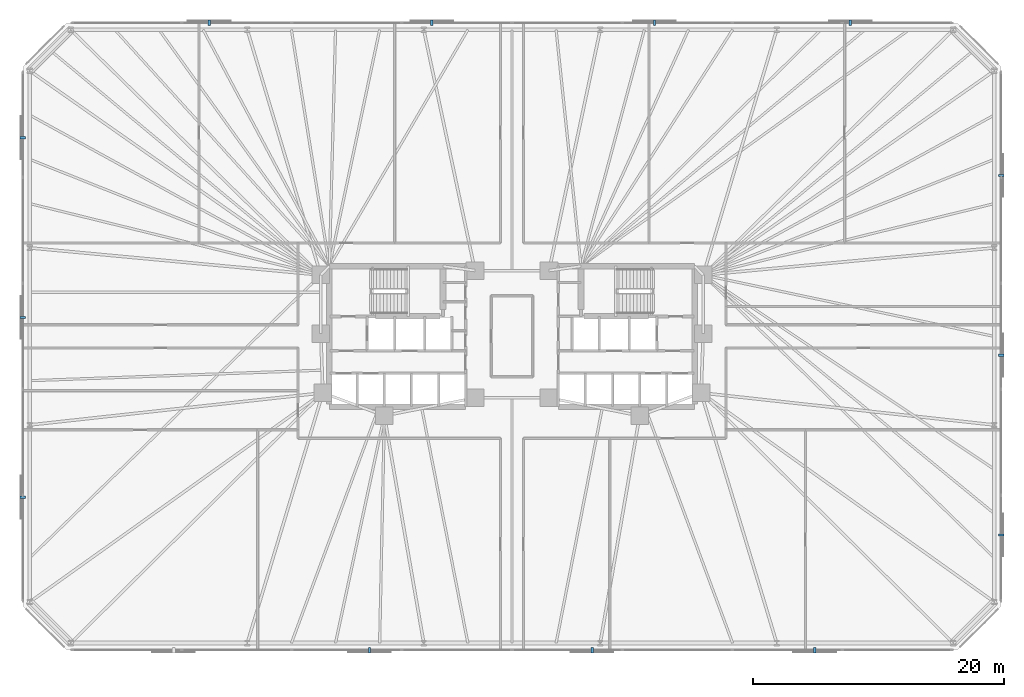
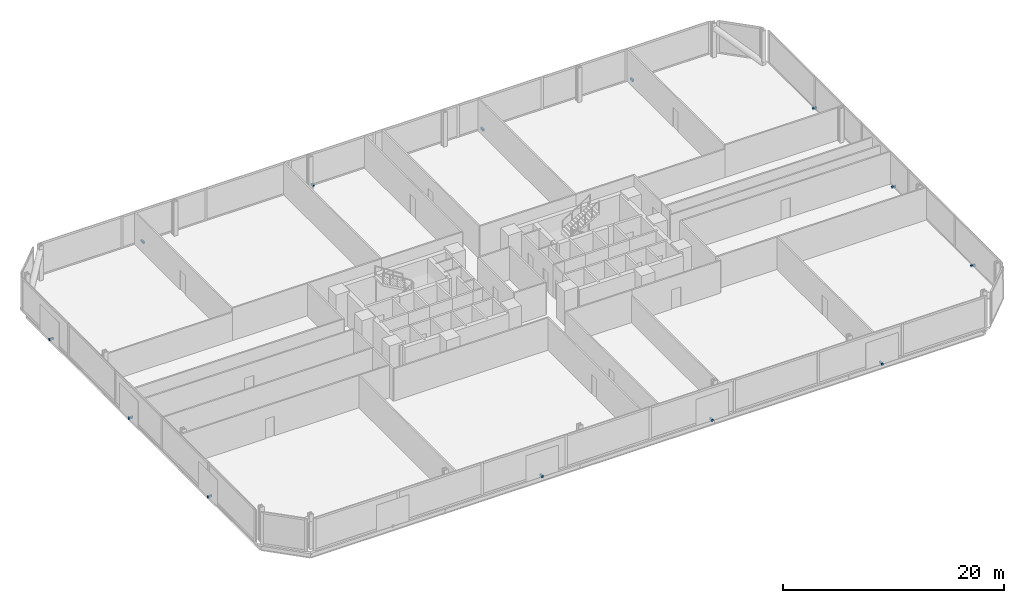
# One storey, part 16 of 17: 13 discrete accessories.
"""IFC4 building model written with IfcOpenShell, lengths in metres."""

from ifc_helpers import new_model, si_unit, direction, frame, origin, origin_2d, place, context, subcontext, project, spatial, rectangle, extrude, material, type_object, element, save


model = new_model("IFC4")

# Units and contexts
model_context = context("Model", 3, precision=1e-05, world=origin(), true_north=direction((0.0, 1.0)))
body_context = subcontext(model_context, "Body", "Model", "MODEL_VIEW")
ifc_project = project(units=[si_unit("LENGTHUNIT", "METRE"), si_unit("AREAUNIT", "SQUARE_METRE"), si_unit("VOLUMEUNIT", "CUBIC_METRE"), si_unit("PLANEANGLEUNIT", "RADIAN"), si_unit("MASSUNIT", "GRAM", prefix="KILO")], contexts=[model_context])

# Site, building, storey
site_placement = place(None, origin())
site = spatial("IfcSite", under=ifc_project, at=site_placement, CompositionType="ELEMENT")
building_placement = place(site_placement, origin())
building = spatial("IfcBuilding", under=site, at=building_placement, Name="Menara Jurai Vektor", CompositionType="ELEMENT")
storey_placement = place(building_placement, frame((0.0, 0.0, 21.800048828125)))
storey = spatial("IfcBuildingStorey", under=building, at=storey_placement, Name="L04", CompositionType="ELEMENT", Elevation=21.800048828125)

# Discrete accessories
ifc_material = material(Name="Steel S355", Category="steel")
discrete_accessory_type = type_object("IfcDiscreteAccessoryType", Name="ENV-ACC-BRACKET", PredefinedType="BRACKET", material=ifc_material)
for number, where, z_axis, x_axis, name in (
    (1, (-11.360107421875, -25.010009765625, -0.1298828125), (0.0, 0.0, 1.0), (1.0, 0.0, 0.0), "Solar Screen Stand-Off Bracket L04-S02"),
    (2, (6.389892578125, -25.010009765625, -0.1298828125), (0.0, 0.0, 1.0), (1.0, 0.0, 0.0), "Solar Screen Stand-Off Bracket L04-S03"),
    (3, (24.139892578125, -25.010009765625, -0.1298828125), (0.0, 0.0, 1.0), (1.0, 0.0, 0.0), "Solar Screen Stand-Off Bracket L04-S04"),
    (4, (39.010009765625, -15.83837890625, -0.1298828125), (0.0, 0.0, 1.0), (0.0, 1.0, 0.0), "Solar Screen Stand-Off Bracket L04-S05"),
    (5, (39.010009765625, -1.5048828125, -0.1298828125), (0.0, 0.0, 1.0), (0.0, 1.0, 0.0), "Solar Screen Stand-Off Bracket L04-S06"),
    (6, (39.010009765625, 12.828369140625, -0.1298828125), (0.0, 0.0, 1.0), (0.0, 1.0, 0.0), "Solar Screen Stand-Off Bracket L04-S07"),
    (7, (26.97998046875, 25.010009765625, -0.1298828125), (0.0, 0.0, 1.0), (-1.0, 0.0, 0.0), "Solar Screen Stand-Off Bracket L04-S08"),
    (8, (11.360107421875, 25.010009765625, -0.1298828125), (0.0, 0.0, 1.0), (-1.0, 0.0, 0.0), "Solar Screen Stand-Off Bracket L04-S09"),
    (9, (-6.389892578125, 25.010009765625, -0.1298828125), (0.0, 0.0, 1.0), (-1.0, 0.0, 0.0), "Solar Screen Stand-Off Bracket L04-S10"),
    (10, (-24.139892578125, 25.010009765625, -0.1298828125), (0.0, 0.0, 1.0), (-1.0, 0.0, 0.0), "Solar Screen Stand-Off Bracket L04-S11"),
    (11, (-39.010009765625, 15.83837890625, -0.1298828125), (0.0, 0.0, 1.0), (0.0, -1.0, 0.0), "Solar Screen Stand-Off Bracket L04-S12"),
    (12, (-39.010009765625, 1.5048828125, -0.1298828125), (0.0, 0.0, 1.0), (0.0, -1.0, 0.0), "Solar Screen Stand-Off Bracket L04-S13"),
    (13, (-39.010009765625, -12.828369140625, -0.1298828125), (0.0, 0.0, 1.0), (0.0, -1.0, 0.0), "Solar Screen Stand-Off Bracket L04-S14"),
):
    element("IfcDiscreteAccessory", number, at=place(storey_placement, frame(where, z_axis=z_axis, x_axis=x_axis)), inside=storey, type_object=discrete_accessory_type, Name=name, PredefinedType="BRACKET", context=body_context, shape_type="SweptSolid", body=[
        extrude(rectangle(XDim=0.179931640625, YDim=0.43994140625, at=origin_2d()), origin(), (0.0, 0.0, 1.0), 0.219970703125),
    ])

save(model, "model.ifc")
